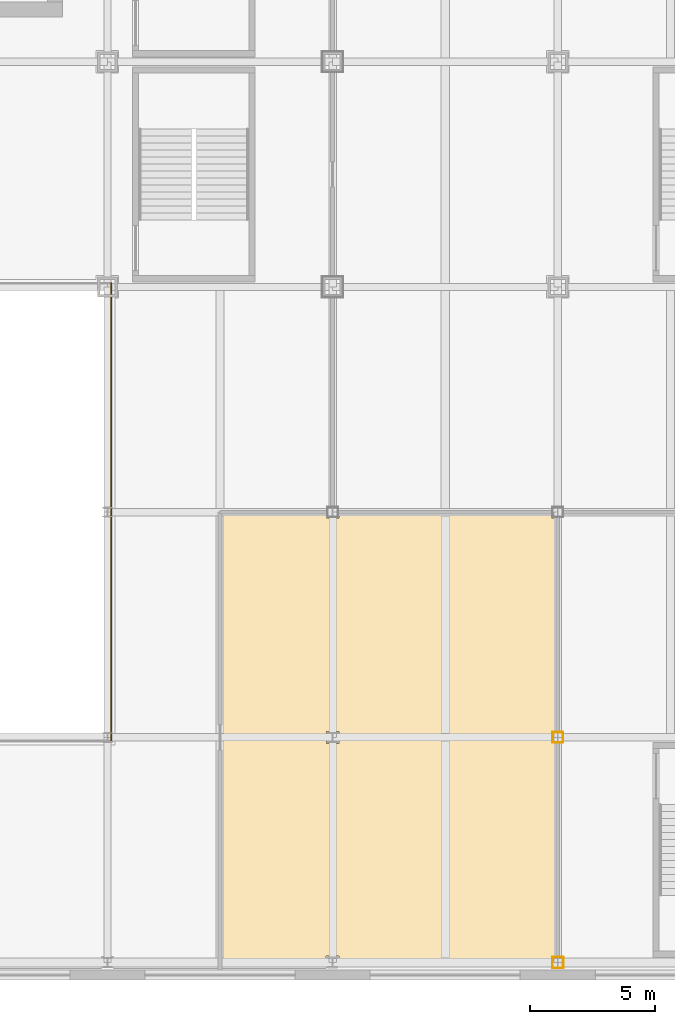
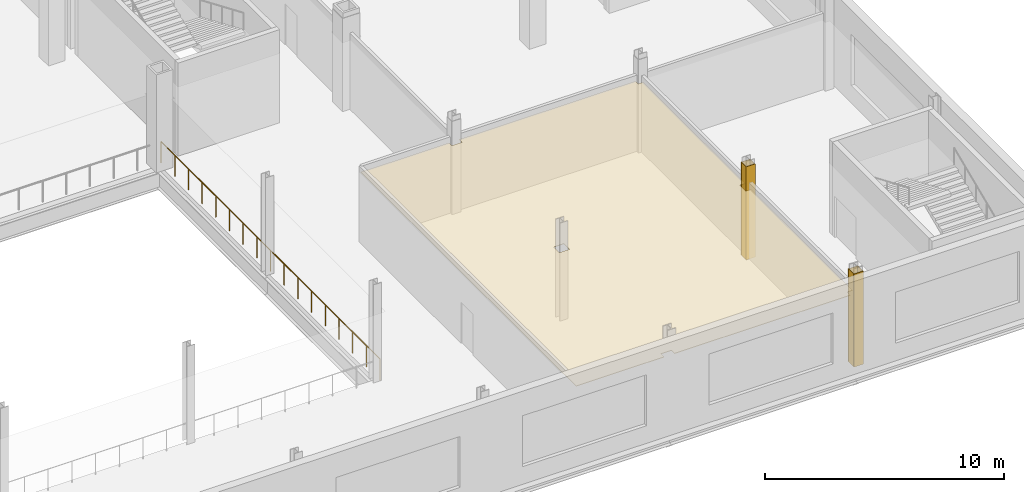
# One storey, part 21 of 31: 9 coverings, 1 railing.
"""IFC4 building model written with IfcOpenShell, lengths in metres."""

from ifc_helpers import new_model, si_unit, direction, frame, origin, origin_2d, place, context, subcontext, project, spatial, polyline, rectangle, circle, outline, extrude, material, layer, layer_set, type_object, element, save


model = new_model("IFC4")

# Units and contexts
model_context = context("Model", 3, precision=1e-05, world=origin(), true_north=direction((0.0, 1.0)))
body_context = subcontext(model_context, "Body", "Model", "MODEL_VIEW")
ifc_project = project(units=[si_unit("LENGTHUNIT", "METRE"), si_unit("AREAUNIT", "SQUARE_METRE"), si_unit("VOLUMEUNIT", "CUBIC_METRE"), si_unit("PLANEANGLEUNIT", "RADIAN"), si_unit("MASSUNIT", "GRAM", prefix="KILO")], contexts=[model_context])

# Site, building, storey
site_placement = place(None, origin())
site = spatial("IfcSite", under=ifc_project, at=site_placement, CompositionType="ELEMENT")
building_placement = place(site_placement, origin())
building = spatial("IfcBuilding", under=site, at=building_placement, Name="Loomwork Tower", CompositionType="ELEMENT")
storey_placement = place(building_placement, frame((0.0, 0.0, 11.0)))
storey = spatial("IfcBuildingStorey", under=building, at=storey_placement, Name="L02", CompositionType="ELEMENT", Elevation=11.0)

# Coverings
ifc_material_1 = material(Name="Two-hour fire-rated gypsum board casing")
ifc_layer_1 = layer(ifc_material_1, 0.02490234375)
ifc_layer_set_1 = layer_set([ifc_layer_1], Name="Column fire casing 25")
covering_type_1 = type_object("IfcCoveringType", Name="Column fire casing 25", PredefinedType="CLADDING", material=ifc_layer_set_1)
for number, where, z_axis, x_axis, name in (
    (1, (54.0, -26.775390625, 0.0), (0.0, 0.0, 1.0), (1.0, 0.0, 0.0), "Column casing 54 -27 L02"),
    (2, (54.0, -27.224609375, 0.0), (0.0, 0.0, 1.0), (1.0, 0.0, 0.0), "Column casing 54 -27 L02"),
):
    element("IfcCovering", number, at=place(storey_placement, frame(where, z_axis=z_axis, x_axis=x_axis)), inside=storey, type_object=covering_type_1, Name=name, PredefinedType="CLADDING", context=body_context, shape_type="SweptSolid", body=[
        extrude(rectangle(XDim=0.458984375, YDim=0.02490234375, at=origin_2d()), origin(), (0.0, 0.0, 1.0), 4.75),
    ])
for number, where, z_axis, x_axis, name in (
    (3, (54.217041015625, -27.0, 0.0), (0.0, 0.0, 1.0), (1.0, 0.0, 0.0), "Column casing 54 -27 L02"),
    (4, (53.782958984375, -27.0, 0.0), (0.0, 0.0, 1.0), (1.0, 0.0, 0.0), "Column casing 54 -27 L02"),
):
    element("IfcCovering", number, at=place(storey_placement, frame(where, z_axis=z_axis, x_axis=x_axis)), inside=storey, type_object=covering_type_1, Name=name, PredefinedType="CLADDING", context=body_context, shape_type="SweptSolid", body=[
        extrude(rectangle(XDim=0.02490234375, YDim=0.42431640625, at=origin_2d()), origin(), (0.0, 0.0, 1.0), 4.75),
    ])
for number, where, z_axis, x_axis, name in (
    (5, (54.0, -17.799560546875, 0.0), (0.0, 0.0, 1.0), (1.0, 0.0, 0.0), "Column casing 54 -18 L02"),
    (6, (54.0, -18.200439453125, 0.0), (0.0, 0.0, 1.0), (1.0, 0.0, 0.0), "Column casing 54 -18 L02"),
):
    element("IfcCovering", number, at=place(storey_placement, frame(where, z_axis=z_axis, x_axis=x_axis)), inside=storey, type_object=covering_type_1, Name=name, PredefinedType="CLADDING", context=body_context, shape_type="SweptSolid", body=[
        extrude(rectangle(XDim=0.443603515625, YDim=0.02490234375, at=origin_2d()), origin(), (0.0, 0.0, 1.0), 4.75),
    ])
for number, where, z_axis, x_axis, name in (
    (7, (54.20947265625, -18.0, 0.0), (0.0, 0.0, 1.0), (1.0, 0.0, 0.0), "Column casing 54 -18 L02"),
    (8, (53.79052734375, -18.0, 0.0), (0.0, 0.0, 1.0), (1.0, 0.0, 0.0), "Column casing 54 -18 L02"),
):
    element("IfcCovering", number, at=place(storey_placement, frame(where, z_axis=z_axis, x_axis=x_axis)), inside=storey, type_object=covering_type_1, Name=name, PredefinedType="CLADDING", context=body_context, shape_type="SweptSolid", body=[
        extrude(rectangle(XDim=0.02490234375, YDim=0.3759765625, at=origin_2d()), origin(), (0.0, 0.0, 1.0), 4.75),
    ])

# Railing
ifc_material_2 = material(Name="Stainless steel and laminated glass guard", Category="steel")
railing_type = type_object("IfcRailingType", Name="Guard 1100", PredefinedType="GUARDRAIL", material=ifc_material_2)
railing_placement = place(storey_placement, frame((36.14990234375, -18.14990234375, 0.0)))
element("IfcRailing", 9, at=railing_placement, inside=storey, type_object=railing_type, Name="Atrium guard E L02", PredefinedType="GUARDRAIL", context=body_context, shape_type="SweptSolid", body=[
    extrude(circle(Radius=0.02392578125, at=origin_2d()), frame((0.0, 0.0, 1.076171875), z_axis=(0.0, 1.0, 0.0), x_axis=(-1.0, 0.0, 0.0)), (0.0, 0.0, 1.0), 18.2998046875),
    extrude(circle(Radius=0.02099609375, at=origin_2d()), origin(), (0.0, 0.0, 1.0), 1.052001953125),
    extrude(circle(Radius=0.02099609375, at=origin_2d()), frame((0.0, 1.143798828125, 0.0)), (0.0, 0.0, 1.0), 1.052001953125),
    extrude(circle(Radius=0.02099609375, at=origin_2d()), frame((0.0, 2.28759765625, 0.0)), (0.0, 0.0, 1.0), 1.052001953125),
    extrude(circle(Radius=0.02099609375, at=origin_2d()), frame((0.0, 3.43115234375, 0.0)), (0.0, 0.0, 1.0), 1.052001953125),
    extrude(circle(Radius=0.02099609375, at=origin_2d()), frame((0.0, 4.574951171875, 0.0)), (0.0, 0.0, 1.0), 1.052001953125),
    extrude(circle(Radius=0.02099609375, at=origin_2d()), frame((0.0, 5.71875, 0.0)), (0.0, 0.0, 1.0), 1.052001953125),
    extrude(circle(Radius=0.02099609375, at=origin_2d()), frame((0.0, 6.8623046875, 0.0)), (0.0, 0.0, 1.0), 1.052001953125),
    extrude(circle(Radius=0.02099609375, at=origin_2d()), frame((0.0, 8.006103515625, 0.0)), (0.0, 0.0, 1.0), 1.052001953125),
    extrude(circle(Radius=0.02099609375, at=origin_2d()), frame((0.0, 9.14990234375, 0.0)), (0.0, 0.0, 1.0), 1.052001953125),
    extrude(circle(Radius=0.02099609375, at=origin_2d()), frame((0.0, 10.293701171875, 0.0)), (0.0, 0.0, 1.0), 1.052001953125),
    extrude(circle(Radius=0.02099609375, at=origin_2d()), frame((0.0, 11.4375, 0.0)), (0.0, 0.0, 1.0), 1.052001953125),
    extrude(circle(Radius=0.02099609375, at=origin_2d()), frame((0.0, 12.5810546875, 0.0)), (0.0, 0.0, 1.0), 1.052001953125),
    extrude(circle(Radius=0.02099609375, at=origin_2d()), frame((0.0, 13.724853515625, 0.0)), (0.0, 0.0, 1.0), 1.052001953125),
    extrude(circle(Radius=0.02099609375, at=origin_2d()), frame((0.0, 14.86865234375, 0.0)), (0.0, 0.0, 1.0), 1.052001953125),
    extrude(circle(Radius=0.02099609375, at=origin_2d()), frame((0.0, 16.01220703125, 0.0)), (0.0, 0.0, 1.0), 1.052001953125),
    extrude(circle(Radius=0.02099609375, at=origin_2d()), frame((0.0, 17.156005859375, 0.0)), (0.0, 0.0, 1.0), 1.052001953125),
    extrude(circle(Radius=0.02099609375, at=origin_2d()), frame((0.0, 18.2998046875, 0.0)), (0.0, 0.0, 1.0), 1.052001953125),
])

# Covering
ifc_material_3 = material(Name="Mineral fibre acoustic tile on suspension grid")
ifc_layer_2 = layer(ifc_material_3, 0.02490234375)
ifc_layer_set_2 = layer_set([ifc_layer_2], Name="Suspended acoustic ceiling")
covering_type_2 = type_object("IfcCoveringType", Name="Suspended acoustic ceiling", PredefinedType="CEILING", material=ifc_layer_set_2)
covering_placement = place(storey_placement, frame((0.0, 0.0, 3.52490234375)))
element("IfcCovering", 10, at=covering_placement, inside=storey, type_object=covering_type_2, Name="Ceiling Meeting room 203 L02", PredefinedType="CEILING", context=body_context, shape_type="SweptSolid", body=[
    extrude(outline(polyline([(44.753173828125, -9.0), (44.753173828125, -9.238037109375), (45.246826171875, -9.238037109375), (45.246826171875, -9.0), (53.753173828125, -9.0), (53.753173828125, -9.238037109375), (54.0, -9.238037109375), (54.0, -17.761962890625), (53.753173828125, -17.761962890625), (53.753173828125, -18.238037109375), (54.0, -18.238037109375), (54.0, -26.73779296875), (53.74560546875, -26.73779296875), (53.74560546875, -27.0), (45.25439453125, -27.0), (45.25439453125, -26.73779296875), (44.74560546875, -26.73779296875), (44.74560546875, -27.0), (40.5, -27.0), (40.5, -9.0), (44.753173828125, -9.0)]), holes=[polyline([(44.753173828125, -17.761962890625), (44.753173828125, -18.238037109375), (45.246826171875, -18.238037109375), (45.246826171875, -17.761962890625), (44.753173828125, -17.761962890625)])]), origin(), (0.0, 0.0, 1.0), 0.025146484375),
])

save(model, "model.ifc")
